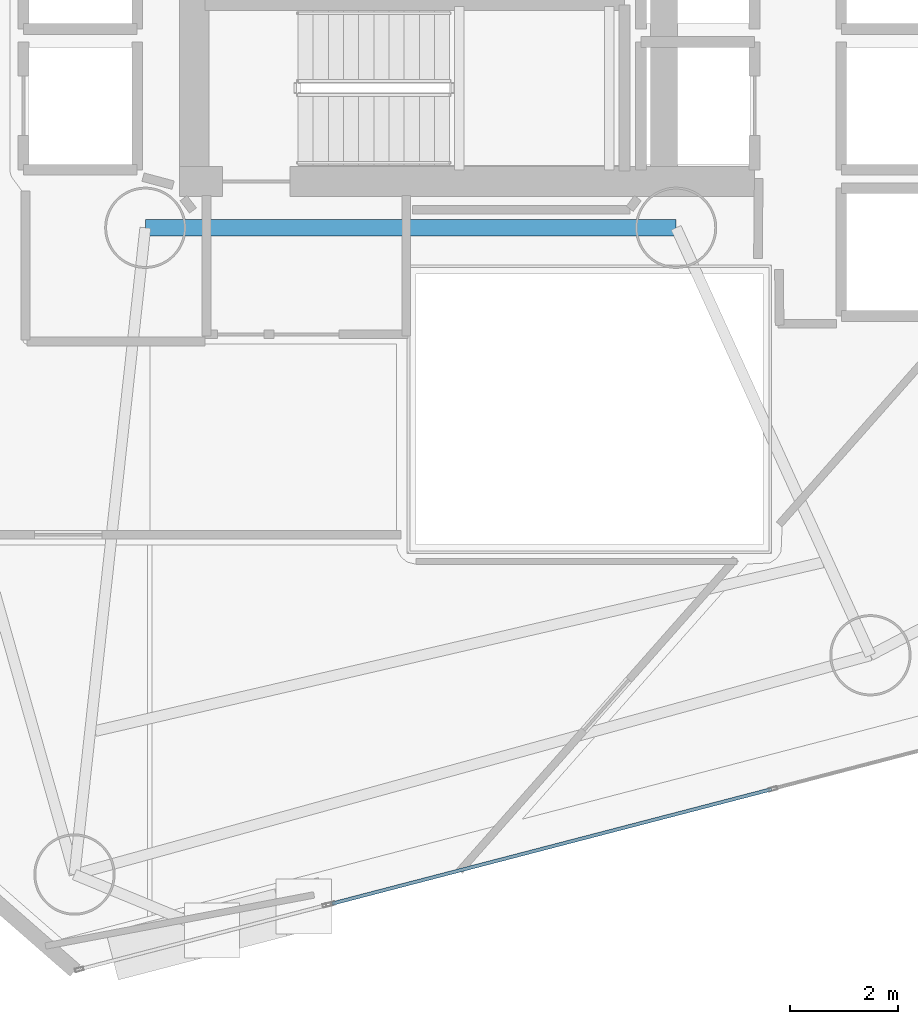
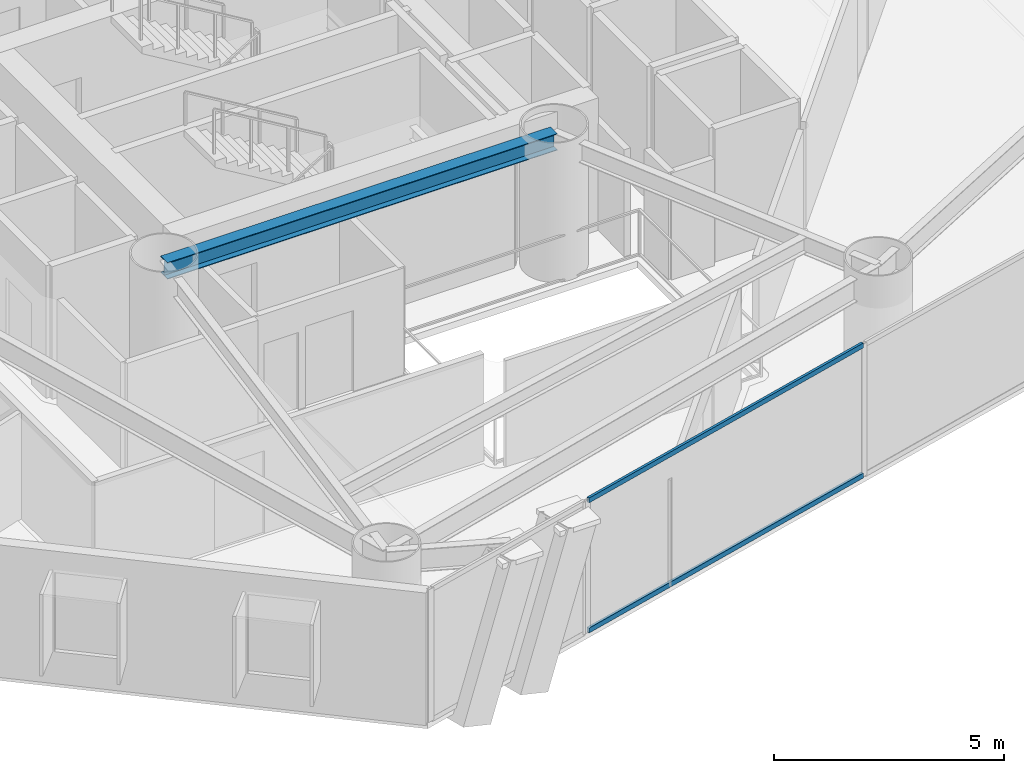
# One storey, part 5 of 21: 2 members, 1 beam, 1 element without a shape of its own.
"""IFC4 building model written with IfcOpenShell, lengths in metres."""

from ifc_helpers import new_model, si_unit, direction, frame, origin, origin_2d, place, context, subcontext, project, spatial, hollow_rectangle, i_section, extrude, material, layer, layer_set, material_profile, profile_set, type_object, element, aggregate, save


model = new_model("IFC4")

# Units and contexts
model_context = context("Model", 3, precision=1e-05, world=origin(), true_north=direction((0.0, 1.0)))
body_context = subcontext(model_context, "Body", "Model", "MODEL_VIEW")
ifc_project = project(units=[si_unit("LENGTHUNIT", "METRE"), si_unit("AREAUNIT", "SQUARE_METRE"), si_unit("VOLUMEUNIT", "CUBIC_METRE"), si_unit("PLANEANGLEUNIT", "RADIAN"), si_unit("MASSUNIT", "GRAM", prefix="KILO")], contexts=[model_context])

# Site, building, storey
site_placement = place(None, origin())
site = spatial("IfcSite", under=ifc_project, at=site_placement, CompositionType="ELEMENT")
building_placement = place(site_placement, origin())
building = spatial("IfcBuilding", under=site, at=building_placement, Name="Qianvela Tower", CompositionType="ELEMENT")
storey_placement = place(building_placement, frame((0.0, 0.0, 105.199951171875)))
storey = spatial("IfcBuildingStorey", under=building, at=storey_placement, Name="L26", CompositionType="ELEMENT", Elevation=105.199951171875)

# Beam
ifc_material_1 = material(Name="Steel Q355B", Category="steel")
ifc_material_profile_1 = material_profile(ifc_material_1, i_section(OverallWidth=0.300048828125, OverallDepth=0.43994140625, WebThickness=0.010986328125, FlangeThickness=0.01806640625, at=origin_2d()), Name="HM440x300x11x18")
ifc_profile_set_1 = profile_set([ifc_material_profile_1], Name="Steel Q355B")
beam_type = type_object("IfcBeamType", Name="BM-HM440-COLL", PredefinedType="BEAM", material=ifc_profile_set_1)
beam_placement = place(storey_placement, frame((28.60009765625, 23.85009765625, 3.298095703125), z_axis=(1.0, 0.0, 0.0), x_axis=(0.0, 1.0, 0.0)))
element("IfcBeam", 1, at=beam_placement, inside=storey, type_object=beam_type, Name="L26 Core Ring Collector Girder CC1", PredefinedType="BEAM", context=body_context, shape_type="SweptSolid", body=[
    extrude(i_section(OverallWidth=0.300048828125, OverallDepth=0.43994140625, WebThickness=0.010986328125, FlangeThickness=0.01806640625, at=origin_2d()), origin(), (0.0, 0.0, 1.0), 9.7998046875),
])

# Curtain wall, members
ifc_material_2 = material(Name="Anodised Architectural Aluminium and Low-E Glass", Category="aluminium")
ifc_layer = layer(ifc_material_2, 0.169921875)
ifc_layer_set = layer_set([ifc_layer], Name="Anodised Architectural Aluminium and Low-E Glass")
curtain_wall_type = type_object("IfcCurtainWallType", Name="CW-COLIV-Z34", PredefinedType="USERDEFINED", material=ifc_layer_set)
curtain_wall_placement = place(storey_placement, origin())
curtain_wall = element("IfcCurtainWall", 2, at=curtain_wall_placement, inside=storey, type_object=curtain_wall_type, Name="L26 CW-COLIV-Z34 Curtain Wall 06B", ObjectType="CURTAIN_WALL_SYSTEM", PredefinedType="USERDEFINED")
ifc_material_3 = material(Name="Anodised Architectural Aluminium 6063-T6", Category="aluminium")
ifc_material_profile_2 = material_profile(ifc_material_3, hollow_rectangle(XDim=0.06494140625, YDim=0.1298828125, WallThickness=0.00439453125, at=origin_2d()), Name="ALU-TRAN-65x130")
ifc_profile_set_2 = profile_set([ifc_material_profile_2], Name="Anodised Architectural Aluminium 6063-T6")
member_type = type_object("IfcMemberType", Name="CW-COLIV-Z34-TRAN", PredefinedType="USERDEFINED", material=ifc_profile_set_2)
member_1_placement = place(storey_placement, frame((32.0478515625, 11.37109375, 0.032470703125), z_axis=(0.967739620153, 0.251952431198, 0.0), x_axis=(-0.251952431198, 0.967739620153, 0.0)))
member_1 = element("IfcMember", 3, at=member_1_placement, type_object=member_type, Name="CW-4 transom 1.1", ObjectType="TRANSOM", PredefinedType="USERDEFINED", context=body_context, shape_type="SweptSolid", body=[
    extrude(hollow_rectangle(XDim=0.06494140625, YDim=0.1298828125, WallThickness=0.00439453125, at=origin_2d()), origin(), (0.0, 0.0, 1.0), 8.3837890625),
])
member_2_placement = place(storey_placement, frame((32.0478515625, 11.37109375, 3.487548828125), z_axis=(0.967739620153, 0.251952431198, 0.0), x_axis=(-0.251952431198, 0.967739620153, 0.0)))
member_2 = element("IfcMember", 4, at=member_2_placement, type_object=member_type, Name="CW-4 transom 1.2", ObjectType="TRANSOM", PredefinedType="USERDEFINED", context=body_context, shape_type="SweptSolid", body=[
    extrude(hollow_rectangle(XDim=0.06494140625, YDim=0.1298828125, WallThickness=0.00439453125, at=origin_2d()), origin(), (0.0, 0.0, 1.0), 8.3837890625),
])
aggregate(curtain_wall, [member_1, member_2])

save(model, "model.ifc")
